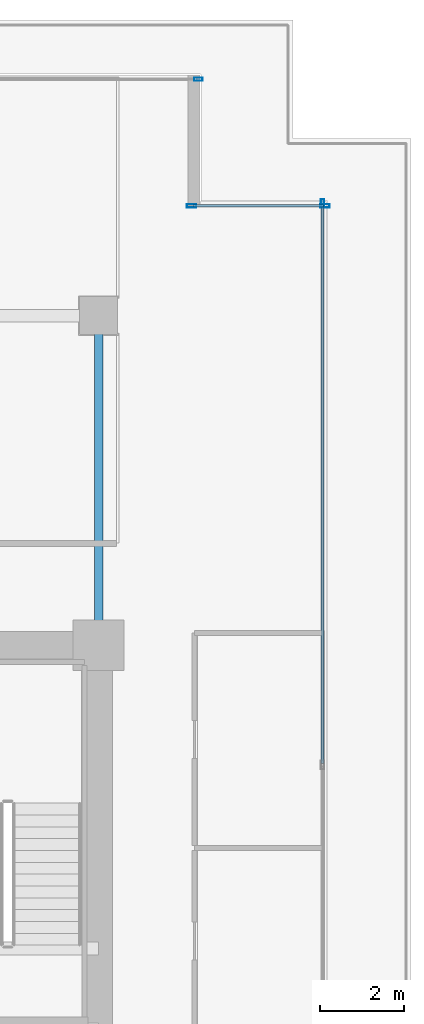
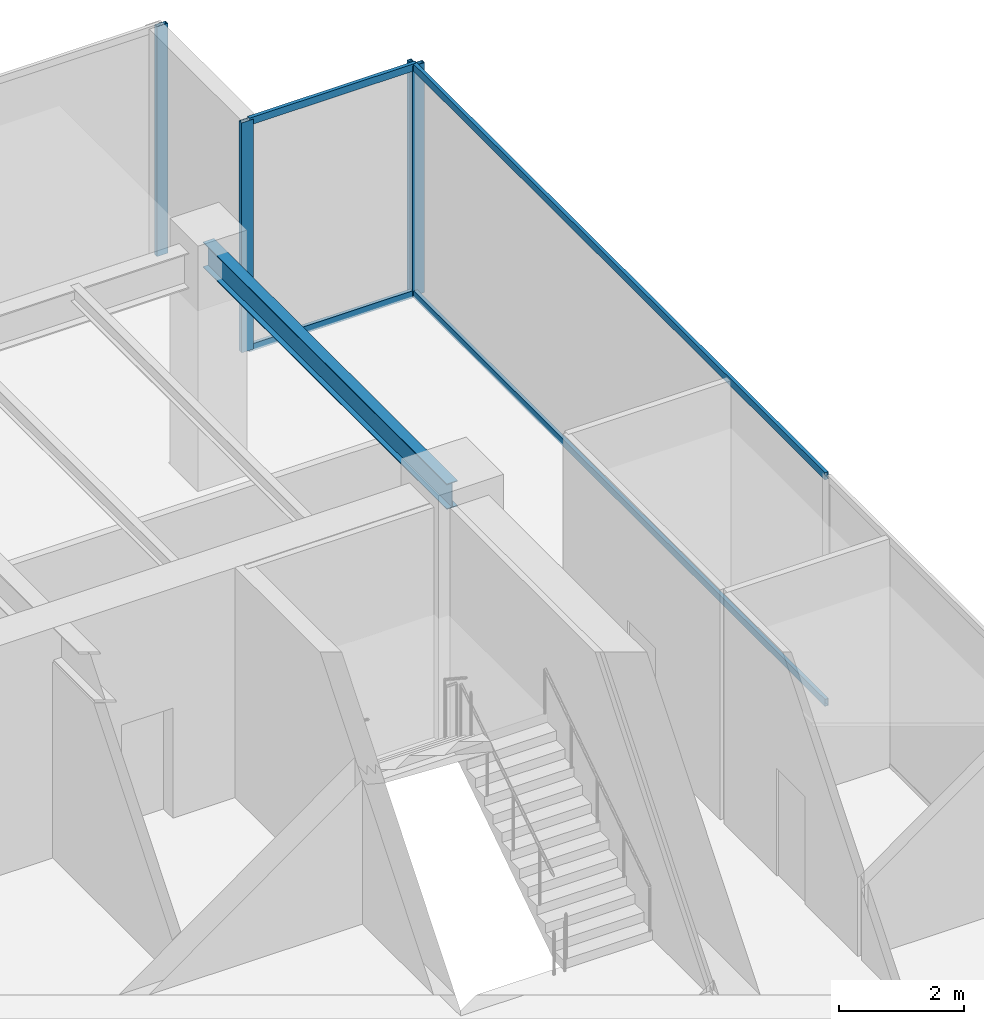
# One storey, part 23 of 33: 8 members, 1 beam, 3 elements without a shape of their own.
"""IFC4 building model written with IfcOpenShell, lengths in metres."""

from ifc_helpers import new_model, si_unit, direction, frame, origin, origin_2d, place, context, subcontext, project, spatial, hollow_rectangle, i_section, extrude, source, transform, mapped, material, layer, layer_set, material_profile, profile_set, type_object, type_shapes, element, aggregate, save


model = new_model("IFC4")

# Units and contexts
model_context = context("Model", 3, precision=1e-05, world=origin(), true_north=direction((0.0, 1.0)))
body_context = subcontext(model_context, "Body", "Model", "MODEL_VIEW")
ifc_project = project(units=[si_unit("LENGTHUNIT", "METRE"), si_unit("AREAUNIT", "SQUARE_METRE"), si_unit("VOLUMEUNIT", "CUBIC_METRE"), si_unit("PLANEANGLEUNIT", "RADIAN"), si_unit("MASSUNIT", "GRAM", prefix="KILO")], contexts=[model_context])

# Site, building, storey
site_placement = place(None, origin())
site = spatial("IfcSite", under=ifc_project, at=site_placement, CompositionType="ELEMENT")
building_placement = place(site_placement, origin())
building = spatial("IfcBuilding", under=site, at=building_placement, Name="Haelvirn Gate Laboratories", CompositionType="ELEMENT")
storey_placement = place(building_placement, frame((0.0, 0.0, 100.300048828125)))
storey = spatial("IfcBuildingStorey", under=building, at=storey_placement, Name="L24", CompositionType="ELEMENT", Elevation=100.300048828125)

# Beam
ifc_material_1 = material(Name="Steel SM355", Category="steel")
ifc_material_profile_1 = material_profile(ifc_material_1, i_section(OverallWidth=0.199951171875, OverallDepth=0.5, WebThickness=0.010009765625, FlangeThickness=0.01611328125, at=origin_2d()), Name="H-500x200x10x16")
ifc_profile_set_1 = profile_set([ifc_material_profile_1], Name="Steel SM355")
beam_type = type_object("IfcBeamType", Name="BM-SP-500", PredefinedType="SPANDREL", material=ifc_profile_set_1)
shared_shape_1 = source(origin(), body_context, "Body", "SweptSolid", [
    extrude(i_section(OverallWidth=0.199951171875, OverallDepth=0.5, WebThickness=0.010009765625, FlangeThickness=0.01611328125, at=origin_2d()), origin(), (0.0, 0.0, 1.0), 7.800048828125),
])
type_shapes(beam_type, [shared_shape_1])
beam_placement = place(storey_placement, frame((67.39990234375, 33.800048828125, 4.239990234375), z_axis=(0.0, 1.0, 0.0), x_axis=(-1.0, 0.0, 0.0)))
element("IfcBeam", 1, at=beam_placement, inside=storey, type_object=beam_type, Name="L24 Perimeter Spandrel X67.4 (33.8-41.6)", PredefinedType="SPANDREL", context=body_context, shape_type="MappedRepresentation", body=[
    mapped(shared_shape_1, transform((0.0, 0.0, 0.0), scale=1.0)),
])

# Curtain wall, member
ifc_material_2 = material(Name="Anodised bronze unitised aluminium & triple low-E glass", Category="aluminium")
ifc_layer_1 = layer(ifc_material_2, 0.179931640625, Name="CW-SYS-3")
ifc_layer_set_1 = layer_set([ifc_layer_1], Name="Anodised bronze unitised aluminium & triple low-E glass")
curtain_wall_type_1 = type_object("IfcCurtainWallType", Name="CW-SYS-3", PredefinedType="NOTDEFINED", material=ifc_layer_set_1)
curtain_wall_1_placement = place(storey_placement, origin())
curtain_wall_1 = element("IfcCurtainWall", 2, at=curtain_wall_1_placement, inside=storey, type_object=curtain_wall_type_1, Name="L24 Unitised Curtain Wall CW-L24-P0-E07", PredefinedType="NOTDEFINED")
ifc_material_3 = material(Name="Extruded aluminium 6063-T6 (anodised bronze)", Category="aluminium")
ifc_material_profile_2 = material_profile(ifc_material_3, hollow_rectangle(XDim=0.074951171875, YDim=0.199951171875, WallThickness=0.0048828125, at=origin_2d()), Name="CWM-200x75x5")
ifc_profile_set_2 = profile_set([ifc_material_profile_2], Name="Extruded aluminium 6063-T6 (anodised bronze)")
member_type_1 = type_object("IfcMemberType", Name="CWM-T200", PredefinedType="MULLION", material=ifc_profile_set_2)
shared_shape_2 = source(origin(), body_context, "Body", "SweptSolid", [
    extrude(hollow_rectangle(XDim=0.074951171875, YDim=0.199951171875, WallThickness=0.0048828125, at=origin_2d()), origin(), (0.0, 0.0, 1.0), 4.489990234375),
])
type_shapes(member_type_1, [shared_shape_2])
member_1_placement = place(storey_placement, frame((72.699951171875, 44.262451171875, 0.0), z_axis=(0.0, 0.0, 1.0), x_axis=(-1.0, 0.0, 0.0)))
member_1 = element("IfcMember", 3, at=member_1_placement, type_object=member_type_1, Name="CW3 mullion 4", PredefinedType="MULLION", context=body_context, shape_type="MappedRepresentation", body=[
    mapped(shared_shape_2, transform((0.0, 0.0, 0.0), scale=1.0)),
])

curtain_wall_2_placement = place(storey_placement, origin())
curtain_wall_2 = element("IfcCurtainWall", 4, at=curtain_wall_2_placement, inside=storey, type_object=curtain_wall_type_1, Name="L24 Unitised Curtain Wall CW-L24-P0-E10-1", PredefinedType="NOTDEFINED")
member_2_placement = place(storey_placement, frame((69.762451171875, 47.199951171875, 0.0), z_axis=(0.0, 0.0, 1.0), x_axis=(0.0, 1.0, 0.0)))
member_2 = element("IfcMember", 5, at=member_2_placement, type_object=member_type_1, Name="CW3 mullion 3", PredefinedType="MULLION", context=body_context, shape_type="MappedRepresentation", body=[
    mapped(shared_shape_2, transform((0.0, 0.0, 0.0), scale=1.0)),
])
aggregate(curtain_wall_2, [member_2])

# Curtain wall, members
ifc_layer_2 = layer(ifc_material_2, 0.181884765625, Name="CW-SYS-5")
ifc_layer_set_2 = layer_set([ifc_layer_2], Name="Anodised bronze unitised aluminium & triple low-E glass")
curtain_wall_type_2 = type_object("IfcCurtainWallType", Name="CW-SYS-5", PredefinedType="NOTDEFINED", material=ifc_layer_set_2)
curtain_wall_3_placement = place(storey_placement, origin())
curtain_wall_3 = element("IfcCurtainWall", 6, at=curtain_wall_3_placement, inside=storey, type_object=curtain_wall_type_2, Name="L24 Unitised Curtain Wall CW-L24-P0-E08-1", PredefinedType="NOTDEFINED")
ifc_material_profile_3 = material_profile(ifc_material_3, hollow_rectangle(XDim=0.080078125, YDim=0.219970703125, WallThickness=0.006103515625, at=origin_2d()), Name="CWM-220x80x6")
ifc_profile_set_3 = profile_set([ifc_material_profile_3], Name="Extruded aluminium 6063-T6 (anodised bronze)")
member_type_2 = type_object("IfcMemberType", Name="CWM-T220", PredefinedType="MULLION", material=ifc_profile_set_3)
shared_shape_3 = source(origin(), body_context, "Body", "SweptSolid", [
    extrude(hollow_rectangle(XDim=0.080078125, YDim=0.219970703125, WallThickness=0.006103515625, at=origin_2d()), origin(), (0.0, 0.0, 1.0), 4.489990234375),
])
type_shapes(member_type_2, [shared_shape_3])
member_3_placement = place(storey_placement, frame((69.60009765625, 44.199951171875, 0.0), z_axis=(0.0, 0.0, 1.0), x_axis=(0.0, 1.0, 0.0)))
member_3 = element("IfcMember", 7, at=member_3_placement, type_object=member_type_2, Name="CW5 mullion 1", PredefinedType="MULLION", context=body_context, shape_type="MappedRepresentation", body=[
    mapped(shared_shape_3, transform((0.0, 0.0, 0.0), scale=1.0)),
])
member_4_placement = place(storey_placement, frame((72.760009765625, 44.199951171875, 0.0), z_axis=(0.0, 0.0, 1.0), x_axis=(0.0, 1.0, 0.0)))
member_4 = element("IfcMember", 8, at=member_4_placement, type_object=member_type_2, Name="CW5 mullion 2", PredefinedType="MULLION", context=body_context, shape_type="MappedRepresentation", body=[
    mapped(shared_shape_3, transform((0.0, 0.0, 0.0), scale=1.0)),
])
ifc_material_profile_4 = material_profile(ifc_material_3, hollow_rectangle(XDim=0.06494140625, YDim=0.139892578125, WallThickness=0.00390625, at=origin_2d()), Name="CWT-140x65x4")
ifc_profile_set_4 = profile_set([ifc_material_profile_4], Name="Extruded aluminium 6063-T6 (anodised bronze)")
member_type_3 = type_object("IfcMemberType", Name="CWT-T140", PredefinedType="USERDEFINED", material=ifc_profile_set_4)
shared_shape_4 = source(origin(), body_context, "Body", "SweptSolid", [
    extrude(hollow_rectangle(XDim=0.06494140625, YDim=0.139892578125, WallThickness=0.00390625, at=origin_2d()), origin(), (0.0, 0.0, 1.0), 3.080078125),
])
member_5_placement = place(storey_placement, frame((69.639892578125, 44.199951171875, 0.032470703125), z_axis=(1.0, 0.0, 0.0), x_axis=(0.0, 1.0, 0.0)))
member_5 = element("IfcMember", 9, at=member_5_placement, type_object=member_type_3, Name="CW5 transom 1.1", ObjectType="TRANSOM", PredefinedType="USERDEFINED", context=body_context, shape_type="MappedRepresentation", body=[
    mapped(shared_shape_4, transform((0.0, 0.0, 0.0), scale=1.0)),
])
member_6_placement = place(storey_placement, frame((69.639892578125, 44.199951171875, 4.45751953125), z_axis=(1.0, 0.0, 0.0), x_axis=(0.0, 1.0, 0.0)))
member_6 = element("IfcMember", 10, at=member_6_placement, type_object=member_type_3, Name="CW5 transom 1.2", ObjectType="TRANSOM", PredefinedType="USERDEFINED", context=body_context, shape_type="MappedRepresentation", body=[
    mapped(shared_shape_4, transform((0.0, 0.0, 0.0), scale=1.0)),
])
aggregate(curtain_wall_3, [member_3, member_4, member_5, member_6])

# Member
shared_shape_5 = source(origin(), body_context, "Body", "SweptSolid", [
    extrude(hollow_rectangle(XDim=0.06494140625, YDim=0.139892578125, WallThickness=0.00390625, at=origin_2d()), origin(), (0.0, 0.0, 1.0), 13.220947265625),
])
type_shapes(member_type_3, [shared_shape_4, shared_shape_5])
member_7_placement = place(storey_placement, frame((72.699951171875, 31.004150390625, 0.032470703125), z_axis=(0.0, 1.0, 0.0), x_axis=(-1.0, 0.0, 0.0)))
member_7 = element("IfcMember", 11, at=member_7_placement, type_object=member_type_3, Name="CW3 transom 3.1", ObjectType="TRANSOM", PredefinedType="USERDEFINED", context=body_context, shape_type="MappedRepresentation", body=[
    mapped(shared_shape_5, transform((0.0, 0.0, 0.0), scale=1.0)),
])

member_8_placement = place(storey_placement, frame((72.699951171875, 31.004150390625, 4.45751953125), z_axis=(0.0, 1.0, 0.0), x_axis=(-1.0, 0.0, 0.0)))
member_8 = element("IfcMember", 12, at=member_8_placement, type_object=member_type_3, Name="CW3 transom 3.2", ObjectType="TRANSOM", PredefinedType="USERDEFINED", context=body_context, shape_type="MappedRepresentation", body=[
    mapped(shared_shape_5, transform((0.0, 0.0, 0.0), scale=1.0)),
])

aggregate(curtain_wall_1, [member_1, member_7, member_8])

save(model, "model.ifc")
